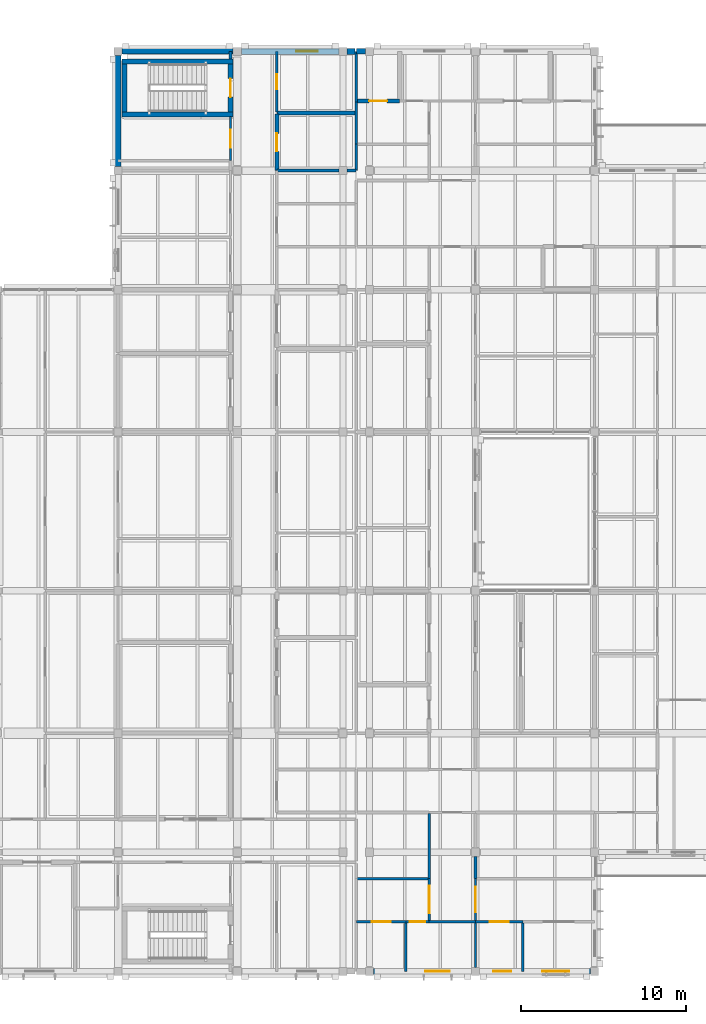
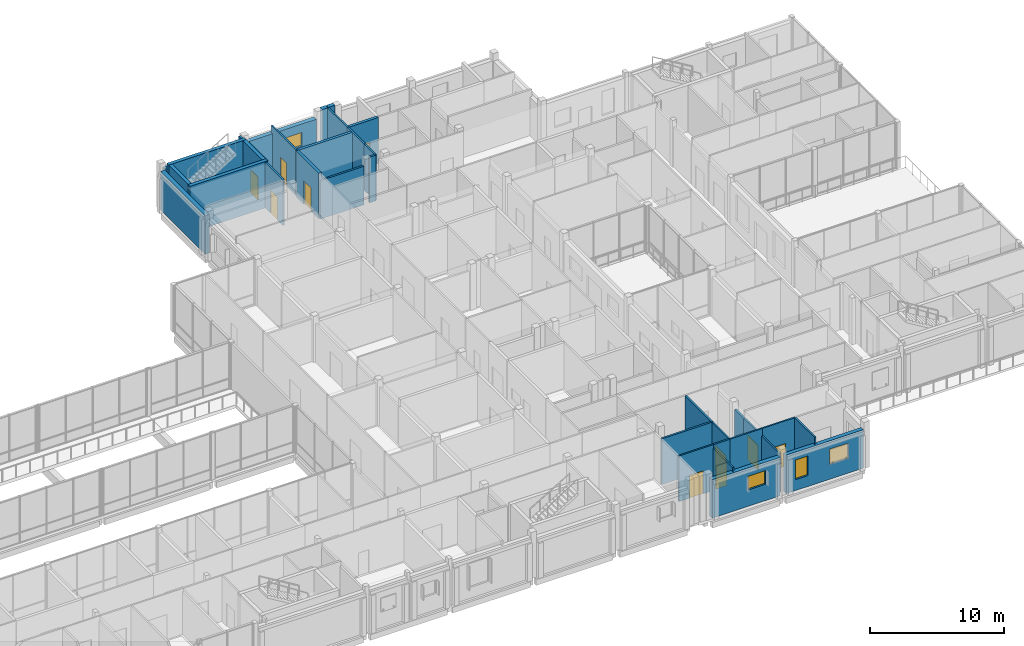
# One storey, part 117 of 146: 34 walls, 10 doors, 4 windows, 14 openings.
"""IFC4 building model written with IfcOpenShell, lengths in metres."""

from ifc_helpers import new_model, si_unit, direction, frame, frame_2d, origin, place, context, subcontext, project, spatial, rectangle, extrude, material, layer, layer_set, type_object, element, fill, save


model = new_model("IFC4")

# Units and contexts
model_context = context("Model", 3, precision=1e-05, world=origin(), true_north=direction((0.0, 1.0)))
body_context = subcontext(model_context, "Body", "Model", "MODEL_VIEW")
ifc_project = project(units=[si_unit("LENGTHUNIT", "METRE"), si_unit("AREAUNIT", "SQUARE_METRE"), si_unit("VOLUMEUNIT", "CUBIC_METRE"), si_unit("PLANEANGLEUNIT", "RADIAN"), si_unit("MASSUNIT", "GRAM", prefix="KILO")], contexts=[model_context])

# Site, building, storey
site_placement = place(None, origin())
site = spatial("IfcSite", under=ifc_project, at=site_placement, CompositionType="ELEMENT")
building_placement = place(site_placement, origin())
building = spatial("IfcBuilding", under=site, at=building_placement, Name="Hawrajan Terrace Health Centre", CompositionType="ELEMENT")
storey_placement = place(building_placement, frame((0.0, 0.0, 4.5)))
storey = spatial("IfcBuildingStorey", under=building, at=storey_placement, Name="L01", CompositionType="ELEMENT", Elevation=4.5)

# Wall, opening, door
ifc_material_1 = material(Name="Gypsum board on acoustic stud framing")
ifc_layer_1 = layer(ifc_material_1, 0.139892578125)
ifc_layer_set_1 = layer_set([ifc_layer_1], Name="Gypsum board on acoustic stud framing")
wall_type_1 = type_object("IfcWallType", Name="ClinicalAcousticWall_140", PredefinedType="PARTITIONING", material=ifc_layer_set_1)
wall_1_placement = place(storey_placement, frame((121.800048828125, 53.199951171875, 0.0), z_axis=(0.0, 0.0, 1.0), x_axis=(0.0, 1.0, 0.0)))
wall_1 = element("IfcWall", 1, at=wall_1_placement, inside=storey, type_object=wall_type_1, Name="Interior wall IW-L01-0725", PredefinedType="PARTITIONING", context=body_context, shape_type="SweptSolid", body=[
    extrude(rectangle(XDim=2.66015625, YDim=0.139892578125, at=frame_2d((1.330078125, 0.0))), origin(), (0.0, 0.0, 1.0), 4.179931640625),
])
opening_1_placement = place(wall_1_placement, frame((0.780029296875, 0.0, 0.0)))
opening_1 = element("IfcOpeningElement", 2, at=opening_1_placement, cuts=wall_1, Name="Opening D-L01-271", PredefinedType="OPENING", context=body_context, shape_type="SweptSolid", body=[
    extrude(rectangle(XDim=1.10009765625, YDim=2.10009765625, at=frame_2d((0.550048828125, 1.050048828125))), frame((0.0, 0.079833984375, 0.0), z_axis=(0.0, -1.0, 0.0), x_axis=(1.0, 0.0, 0.0)), (0.0, 0.0, 1.0), 0.159912109375),
])
ifc_material_2 = material(Name="Hardwood acoustic clinical door leaf and frame", Category="wood")
door_type_1 = type_object("IfcDoorType", Name="ConsultDoor_1100x2100", OperationType="NOTDEFINED", PredefinedType="DOOR", material=ifc_material_2)
door_1_placement = place(opening_1_placement, origin())
door_1 = element("IfcDoor", 3, at=door_1_placement, inside=storey, type_object=door_type_1, Name="Interior door D-L01-271", OperationType="SINGLE_SWING_LEFT", OverallHeight=2.10009765625, OverallWidth=1.10009765625, PredefinedType="DOOR", context=body_context, shape_type="SweptSolid", body=[
    extrude(rectangle(XDim=1.10009765625, YDim=2.10009765625, at=frame_2d((0.550048828125, 1.050048828125))), frame((0.0, 0.02490234375, 0.0), z_axis=(0.0, -1.0, 0.0), x_axis=(1.0, 0.0, 0.0)), (0.0, 0.0, 1.0), 0.050048828125),
])
fill(opening_1, door_1)

wall_2_placement = place(storey_placement, frame((124.60009765625, 56.14794921875, 0.0), z_axis=(0.0, 0.0, 1.0), x_axis=(0.0, 1.0, 0.0)))
wall_2 = element("IfcWall", 4, at=wall_2_placement, inside=storey, type_object=wall_type_1, Name="Interior wall IW-L01-0744", PredefinedType="PARTITIONING", context=body_context, shape_type="SweptSolid", body=[
    extrude(rectangle(XDim=3.652099609375, YDim=0.139892578125, at=frame_2d((1.826171875, 0.0))), origin(), (0.0, 0.0, 1.0), 4.179931640625),
])
opening_2_placement = place(wall_2_placement, frame((1.365966796875, 0.0, 0.0)))
opening_2 = element("IfcOpeningElement", 5, at=opening_2_placement, cuts=wall_2, Name="Opening D-L01-392", PredefinedType="OPENING", context=body_context, shape_type="SweptSolid", body=[
    extrude(rectangle(XDim=0.919921875, YDim=2.10009765625, at=frame_2d((0.4599609375, 1.050048828125))), frame((0.0, 0.079833984375, 0.0), z_axis=(0.0, -1.0, 0.0), x_axis=(1.0, 0.0, 0.0)), (0.0, 0.0, 1.0), 0.159912109375),
])
door_type_2 = type_object("IfcDoorType", Name="StaffOfficeDoor_920x2100", OperationType="NOTDEFINED", PredefinedType="DOOR", material=ifc_material_2)
door_2_placement = place(opening_2_placement, origin())
door_2 = element("IfcDoor", 6, at=door_2_placement, inside=storey, type_object=door_type_2, Name="Interior door D-L01-392", OperationType="SINGLE_SWING_RIGHT", OverallHeight=2.10009765625, OverallWidth=0.919921875, PredefinedType="DOOR", context=body_context, shape_type="SweptSolid", body=[
    extrude(rectangle(XDim=0.919921875, YDim=2.10009765625, at=frame_2d((0.4599609375, 1.050048828125))), frame((0.0, 0.02490234375, 0.0), z_axis=(0.0, -1.0, 0.0), x_axis=(1.0, 0.0, 0.0)), (0.0, 0.0, 1.0), 0.050048828125),
])
fill(opening_2, door_2)

wall_3_placement = place(storey_placement, frame((129.405029296875, 7.199951171875, 0.0), z_axis=(0.0, 0.0, 1.0), x_axis=(1.0, 0.0, 0.0)))
wall_3 = element("IfcWall", 7, at=wall_3_placement, inside=storey, type_object=wall_type_1, Name="Interior wall IW-L01-0746", PredefinedType="PARTITIONING", context=body_context, shape_type="SweptSolid", body=[
    extrude(rectangle(XDim=2.986083984375, YDim=0.139892578125, at=frame_2d((1.4931640625, 0.0))), origin(), (0.0, 0.0, 1.0), 4.179931640625),
])
opening_3_placement = place(wall_3_placement, frame((0.9130859375, 0.0, 0.0)))
opening_3 = element("IfcOpeningElement", 8, at=opening_3_placement, cuts=wall_3, Name="Opening D-L01-393", PredefinedType="OPENING", context=body_context, shape_type="SweptSolid", body=[
    extrude(rectangle(XDim=1.159912109375, YDim=2.10009765625, at=frame_2d((0.580078125, 1.050048828125))), frame((0.0, 0.079833984375, 0.0), z_axis=(0.0, -1.0, 0.0), x_axis=(1.0, 0.0, 0.0)), (0.0, 0.0, 1.0), 0.159912109375),
])
door_type_3 = type_object("IfcDoorType", Name="ConsultDoor_1160x2100", OperationType="NOTDEFINED", PredefinedType="DOOR", material=ifc_material_2)
door_3_placement = place(opening_3_placement, origin())
door_3 = element("IfcDoor", 9, at=door_3_placement, inside=storey, type_object=door_type_3, Name="Interior door D-L01-393", OperationType="SINGLE_SWING_LEFT", OverallHeight=2.10009765625, OverallWidth=1.159912109375, PredefinedType="DOOR", context=body_context, shape_type="SweptSolid", body=[
    extrude(rectangle(XDim=1.159912109375, YDim=2.10009765625, at=frame_2d((0.580078125, 1.050048828125))), frame((0.0, 0.02490234375, 0.0), z_axis=(0.0, -1.0, 0.0), x_axis=(1.0, 0.0, 0.0)), (0.0, 0.0, 1.0), 0.050048828125),
])
fill(opening_3, door_3)

# Wall
wall_4_placement = place(storey_placement, frame((132.39111328125, 4.199951171875, 0.0), z_axis=(0.0, 0.0, 1.0), x_axis=(0.0, 1.0, 0.0)))
element("IfcWall", 10, at=wall_4_placement, inside=storey, type_object=wall_type_1, Name="Interior wall IW-L01-0757", PredefinedType="PARTITIONING", context=body_context, shape_type="SweptSolid", body=[
    extrude(rectangle(XDim=2.929931640625, YDim=0.139892578125, at=frame_2d((1.46484375, 0.0))), origin(), (0.0, 0.0, 1.0), 3.860107421875),
])

# Wall, opening, door
wall_5_placement = place(storey_placement, frame((132.39111328125, 7.199951171875, 0.0), z_axis=(0.0, 0.0, 1.0), x_axis=(1.0, 0.0, 0.0)))
wall_5 = element("IfcWall", 11, at=wall_5_placement, inside=storey, type_object=wall_type_1, Name="Interior wall IW-L01-0758", PredefinedType="PARTITIONING", context=body_context, shape_type="SweptSolid", body=[
    extrude(rectangle(XDim=1.408935546875, YDim=0.139892578125, at=frame_2d((0.70458984375, 0.0))), origin(), (0.0, 0.0, 1.0), 4.179931640625),
])
opening_4_placement = place(wall_5_placement, frame((0.2294921875, 0.0, 0.0)))
opening_4 = element("IfcOpeningElement", 12, at=opening_4_placement, cuts=wall_5, Name="Opening D-L01-394", PredefinedType="OPENING", context=body_context, shape_type="SweptSolid", body=[
    extrude(rectangle(XDim=0.949951171875, YDim=2.10009765625, at=frame_2d((0.47509765625, 1.050048828125))), frame((0.0, 0.079833984375, 0.0), z_axis=(0.0, -1.0, 0.0), x_axis=(1.0, 0.0, 0.0)), (0.0, 0.0, 1.0), 0.159912109375),
])
door_type_4 = type_object("IfcDoorType", Name="AccessibleWCDoor_950x2100", OperationType="NOTDEFINED", PredefinedType="DOOR", material=ifc_material_2)
door_4_placement = place(opening_4_placement, origin())
door_4 = element("IfcDoor", 13, at=door_4_placement, inside=storey, type_object=door_type_4, Name="Interior door D-L01-394", OperationType="SINGLE_SWING_RIGHT", OverallHeight=2.10009765625, OverallWidth=0.949951171875, PredefinedType="DOOR", context=body_context, shape_type="SweptSolid", body=[
    extrude(rectangle(XDim=0.949951171875, YDim=2.10009765625, at=frame_2d((0.47509765625, 1.050048828125))), frame((0.0, 0.02490234375, 0.0), z_axis=(0.0, -1.0, 0.0), x_axis=(1.0, 0.0, 0.0)), (0.0, 0.0, 1.0), 0.050048828125),
])
fill(opening_4, door_4)

wall_6_placement = place(storey_placement, frame((133.800048828125, 7.27001953125, 0.0), z_axis=(0.0, 0.0, 1.0), x_axis=(0.0, 1.0, 0.0)))
wall_6 = element("IfcWall", 14, at=wall_6_placement, inside=storey, type_object=wall_type_1, Name="Interior wall IW-L01-0759", PredefinedType="PARTITIONING", context=body_context, shape_type="SweptSolid", body=[
    extrude(rectangle(XDim=2.530029296875, YDim=0.139892578125, at=frame_2d((1.26513671875, 0.0))), origin(), (0.0, 0.0, 1.0), 4.179931640625),
])
opening_5_placement = place(wall_6_placement, frame((0.43505859375, 0.0, 0.0)))
opening_5 = element("IfcOpeningElement", 15, at=opening_5_placement, cuts=wall_6, Name="Opening D-L01-287", PredefinedType="OPENING", context=body_context, shape_type="SweptSolid", body=[
    extrude(rectangle(XDim=1.659912109375, YDim=2.300048828125, at=frame_2d((0.830078125, 1.14990234375))), frame((0.0, 0.079833984375, 0.0), z_axis=(0.0, -1.0, 0.0), x_axis=(1.0, 0.0, 0.0)), (0.0, 0.0, 1.0), 0.159912109375),
])
door_type_5 = type_object("IfcDoorType", Name="RehabGymDoor_1660x2300", OperationType="DOUBLE_DOOR_SINGLE_SWING", PredefinedType="DOOR", material=ifc_material_2)
door_5_placement = place(opening_5_placement, origin())
door_5 = element("IfcDoor", 16, at=door_5_placement, inside=storey, type_object=door_type_5, Name="Interior door D-L01-287", OperationType="DOUBLE_DOOR_SINGLE_SWING", OverallHeight=2.300048828125, OverallWidth=1.659912109375, PredefinedType="DOOR", context=body_context, shape_type="SweptSolid", body=[
    extrude(rectangle(XDim=1.659912109375, YDim=2.300048828125, at=frame_2d((0.830078125, 1.14990234375))), frame((0.0, 0.02490234375, 0.0), z_axis=(0.0, -1.0, 0.0), x_axis=(1.0, 0.0, 0.0)), (0.0, 0.0, 1.0), 0.050048828125),
])
fill(opening_5, door_5)

# Walls
wall_7_placement = place(storey_placement, frame((133.800048828125, 7.199951171875, 0.0), z_axis=(0.0, 0.0, 1.0), x_axis=(1.0, 0.0, 0.0)))
element("IfcWall", 17, at=wall_7_placement, inside=storey, type_object=wall_type_1, Name="Interior wall IW-L01-0760", PredefinedType="PARTITIONING", context=body_context, shape_type="SweptSolid", body=[
    extrude(rectangle(XDim=2.800048828125, YDim=0.139892578125, at=frame_2d((1.39990234375, 0.0))), origin(), (0.0, 0.0, 1.0), 4.179931640625),
])
wall_8_placement = place(storey_placement, frame((136.60009765625, 4.449951171875, 0.0), z_axis=(0.0, 0.0, 1.0), x_axis=(0.0, 1.0, 0.0)))
element("IfcWall", 18, at=wall_8_placement, inside=storey, type_object=wall_type_1, Name="Interior wall IW-L01-0773", PredefinedType="PARTITIONING", context=body_context, shape_type="SweptSolid", body=[
    extrude(rectangle(XDim=2.679931640625, YDim=0.139892578125, at=frame_2d((1.33984375, 0.0))), origin(), (0.0, 0.0, 1.0), 3.52001953125),
])

# Wall, opening, door
wall_9_placement = place(storey_placement, frame((136.60009765625, 7.27001953125, 0.0), z_axis=(0.0, 0.0, 1.0), x_axis=(0.0, 1.0, 0.0)))
wall_9 = element("IfcWall", 19, at=wall_9_placement, inside=storey, type_object=wall_type_1, Name="Interior wall IW-L01-0774", PredefinedType="PARTITIONING", context=body_context, shape_type="SweptSolid", body=[
    extrude(rectangle(XDim=2.530029296875, YDim=0.139892578125, at=frame_2d((1.26513671875, 0.0))), origin(), (0.0, 0.0, 1.0), 3.52001953125),
])
opening_6_placement = place(wall_9_placement, frame((0.4951171875, 0.0, 0.0)))
opening_6 = element("IfcOpeningElement", 20, at=opening_6_placement, cuts=wall_9, Name="Opening D-L01-288", PredefinedType="OPENING", context=body_context, shape_type="SweptSolid", body=[
    extrude(rectangle(XDim=1.5400390625, YDim=2.25, at=frame_2d((0.77001953125, 1.125))), frame((0.0, 0.079833984375, 0.0), z_axis=(0.0, -1.0, 0.0), x_axis=(1.0, 0.0, 0.0)), (0.0, 0.0, 1.0), 0.159912109375),
])
door_type_6 = type_object("IfcDoorType", Name="RecoveryBayDoor_1540x2250", OperationType="DOUBLE_DOOR_SINGLE_SWING", PredefinedType="DOOR", material=ifc_material_2)
door_6_placement = place(opening_6_placement, origin())
door_6 = element("IfcDoor", 21, at=door_6_placement, inside=storey, type_object=door_type_6, Name="Interior door D-L01-288", OperationType="DOUBLE_DOOR_SINGLE_SWING", OverallHeight=2.25, OverallWidth=1.5400390625, PredefinedType="DOOR", context=body_context, shape_type="SweptSolid", body=[
    extrude(rectangle(XDim=1.5400390625, YDim=2.25, at=frame_2d((0.77001953125, 1.125))), frame((0.0, 0.02490234375, 0.0), z_axis=(0.0, -1.0, 0.0), x_axis=(1.0, 0.0, 0.0)), (0.0, 0.0, 1.0), 0.050048828125),
])
fill(opening_6, door_6)

wall_10_placement = place(storey_placement, frame((136.60009765625, 7.199951171875, 0.0), z_axis=(0.0, 0.0, 1.0), x_axis=(1.0, 0.0, 0.0)))
wall_10 = element("IfcWall", 22, at=wall_10_placement, inside=storey, type_object=wall_type_1, Name="Interior wall IW-L01-0775", PredefinedType="PARTITIONING", context=body_context, shape_type="SweptSolid", body=[
    extrude(rectangle(XDim=2.865966796875, YDim=0.139892578125, at=frame_2d((1.43310546875, 0.0))), origin(), (0.0, 0.0, 1.0), 4.179931640625),
])
opening_7_placement = place(wall_10_placement, frame((0.85302734375, 0.0, 0.0)))
opening_7 = element("IfcOpeningElement", 23, at=opening_7_placement, cuts=wall_10, Name="Opening D-L01-403", PredefinedType="OPENING", context=body_context, shape_type="SweptSolid", body=[
    extrude(rectangle(XDim=1.159912109375, YDim=2.10009765625, at=frame_2d((0.580078125, 1.050048828125))), frame((0.0, 0.079833984375, 0.0), z_axis=(0.0, -1.0, 0.0), x_axis=(1.0, 0.0, 0.0)), (0.0, 0.0, 1.0), 0.159912109375),
])
door_7_placement = place(opening_7_placement, origin())
door_7 = element("IfcDoor", 24, at=door_7_placement, inside=storey, type_object=door_type_3, Name="Interior door D-L01-403", OperationType="SINGLE_SWING_LEFT", OverallHeight=2.10009765625, OverallWidth=1.159912109375, PredefinedType="DOOR", context=body_context, shape_type="SweptSolid", body=[
    extrude(rectangle(XDim=1.159912109375, YDim=2.10009765625, at=frame_2d((0.580078125, 1.050048828125))), frame((0.0, 0.02490234375, 0.0), z_axis=(0.0, -1.0, 0.0), x_axis=(1.0, 0.0, 0.0)), (0.0, 0.0, 1.0), 0.050048828125),
])
fill(opening_7, door_7)

# Walls
wall_11_placement = place(storey_placement, frame((139.466064453125, 4.199951171875, 0.0), z_axis=(0.0, 0.0, 1.0), x_axis=(0.0, 1.0, 0.0)))
element("IfcWall", 25, at=wall_11_placement, inside=storey, type_object=wall_type_1, Name="Interior wall IW-L01-0787", PredefinedType="PARTITIONING", context=body_context, shape_type="SweptSolid", body=[
    extrude(rectangle(XDim=2.929931640625, YDim=0.139892578125, at=frame_2d((1.46484375, 0.0))), origin(), (0.0, 0.0, 1.0), 4.179931640625),
])
ifc_material_3 = material(Name="Precast concrete C40/50", Category="concrete")
ifc_layer_2 = layer(ifc_material_3, 0.340087890625)
ifc_layer_set_2 = layer_set([ifc_layer_2], Name="Precast concrete C40/50")
wall_type_2 = type_object("IfcWallType", Name="CoralAshlarWall_340", PredefinedType="SOLIDWALL", material=ifc_layer_set_2)
wall_12_placement = place(storey_placement, frame((115.25, 59.800048828125, 0.0), z_axis=(0.0, 0.0, 1.0), x_axis=(1.0, 0.0, 0.0)))
element("IfcWall", 26, at=wall_12_placement, inside=storey, type_object=wall_type_2, Name="Exterior wall EW-L01-H14-07-1", PredefinedType="SOLIDWALL", context=body_context, shape_type="SweptSolid", body=[
    extrude(rectangle(XDim=6.699951171875, YDim=0.340087890625, at=frame_2d((3.35009765625, 0.0))), origin(), (0.0, 0.0, 1.0), 3.52001953125),
])
wall_13_placement = place(storey_placement, frame((129.405029296875, 59.800048828125, 0.0), z_axis=(0.0, 0.0, 1.0), x_axis=(1.0, 0.0, 0.0)))
element("IfcWall", 27, at=wall_13_placement, inside=storey, type_object=wall_type_2, Name="Exterior wall EW-L01-H16-07-1", PredefinedType="SOLIDWALL", context=body_context, shape_type="SweptSolid", body=[
    extrude(rectangle(XDim=0.544921875, YDim=0.340087890625, at=frame_2d((0.2724609375, 0.0))), origin(), (0.0, 0.0, 1.0), 4.219970703125),
])

# Wall, openings, windows
wall_14_placement = place(storey_placement, frame((136.85009765625, 4.199951171875, 0.0), z_axis=(0.0, 0.0, 1.0), x_axis=(1.0, 0.0, 0.0)))
wall_14 = element("IfcWall", 28, at=wall_14_placement, inside=storey, type_object=wall_type_2, Name="Exterior wall EW-L01-H17-00-1", PredefinedType="SOLIDWALL", context=body_context, shape_type="SweptSolid", body=[
    extrude(rectangle(XDim=6.699951171875, YDim=0.340087890625, at=frame_2d((3.35009765625, 0.0))), origin(), (0.0, 0.0, 1.0), 3.52001953125),
])
opening_8_placement = place(wall_14_placement, frame((0.81787109375, 0.0, 1.0)))
opening_8 = element("IfcOpeningElement", 29, at=opening_8_placement, cuts=wall_14, Name="Opening W-L01-095", PredefinedType="OPENING", context=body_context, shape_type="SweptSolid", body=[
    extrude(rectangle(XDim=1.10009765625, YDim=1.800048828125, at=frame_2d((0.550048828125, 0.89990234375))), frame((0.0, 0.179931640625, 0.0), z_axis=(0.0, -1.0, 0.0), x_axis=(1.0, 0.0, 0.0)), (0.0, 0.0, 1.0), 0.360107421875),
])
opening_9_placement = place(wall_14_placement, frame((3.772705078125, 0.0, 1.35009765625)))
opening_9 = element("IfcOpeningElement", 30, at=opening_9_placement, cuts=wall_14, Name="Opening W-L01-096", PredefinedType="OPENING", context=body_context, shape_type="SweptSolid", body=[
    extrude(rectangle(XDim=1.64990234375, YDim=1.39990234375, at=frame_2d((0.824951171875, 0.699951171875))), frame((0.0, 0.179931640625, 0.0), z_axis=(0.0, -1.0, 0.0), x_axis=(1.0, 0.0, 0.0)), (0.0, 0.0, 1.0), 0.360107421875),
])
ifc_material_4 = material(Name="Anodized bronze frame with double low-E glazing", Category="glass")
window_type_1 = type_object("IfcWindowType", Name="FacadeWindow_1100x1800", PartitioningType="SINGLE_PANEL", PredefinedType="WINDOW", material=ifc_material_4)
window_1_placement = place(opening_8_placement, origin())
window_1 = element("IfcWindow", 31, at=window_1_placement, inside=storey, type_object=window_type_1, Name="Window W-L01-095", OverallHeight=1.800048828125, OverallWidth=1.10009765625, PartitioningType="SINGLE_PANEL", PredefinedType="WINDOW", context=body_context, shape_type="SweptSolid", body=[
    extrude(rectangle(XDim=1.10009765625, YDim=1.800048828125, at=frame_2d((0.550048828125, 0.89990234375))), frame((0.0, 0.030029296875, 0.0), z_axis=(0.0, -1.0, 0.0), x_axis=(1.0, 0.0, 0.0)), (0.0, 0.0, 1.0), 0.06005859375),
])
fill(opening_8, window_1)
window_type_2 = type_object("IfcWindowType", Name="FacadeWindow_1650x1400", PartitioningType="DOUBLE_PANEL_VERTICAL", PredefinedType="WINDOW", material=ifc_material_4)
window_2_placement = place(opening_9_placement, origin())
window_2 = element("IfcWindow", 32, at=window_2_placement, inside=storey, type_object=window_type_2, Name="Window W-L01-096", OverallHeight=1.39990234375, OverallWidth=1.64990234375, PartitioningType="DOUBLE_PANEL_VERTICAL", PredefinedType="WINDOW", context=body_context, shape_type="SweptSolid", body=[
    extrude(rectangle(XDim=1.64990234375, YDim=1.39990234375, at=frame_2d((0.824951171875, 0.699951171875))), frame((0.0, 0.030029296875, 0.0), z_axis=(0.0, -1.0, 0.0), x_axis=(1.0, 0.0, 0.0)), (0.0, 0.0, 1.0), 0.06005859375),
])
fill(opening_9, window_2)

# Wall
ifc_layer_3 = layer(ifc_material_3, 0.360107421875)
ifc_layer_set_3 = layer_set([ifc_layer_3], Name="Precast concrete C40/50")
wall_type_3 = type_object("IfcWallType", Name="CoralPodiumWall_360", PredefinedType="SOLIDWALL", material=ifc_layer_set_3)
wall_15_placement = place(storey_placement, frame((115.0, 52.85009765625, 0.0), z_axis=(0.0, 0.0, 1.0), x_axis=(0.0, 1.0, 0.0)))
element("IfcWall", 33, at=wall_15_placement, inside=storey, type_object=wall_type_3, Name="Exterior wall EW-L01-V14-06-1", PredefinedType="SOLIDWALL", context=body_context, shape_type="SweptSolid", body=[
    extrude(rectangle(XDim=6.699951171875, YDim=0.360107421875, at=frame_2d((3.35009765625, 0.0))), origin(), (0.0, 0.0, 1.0), 3.52001953125),
])

# Wall, opening, window
wall_16_placement = place(storey_placement, frame((122.449951171875, 59.800048828125, 0.0), z_axis=(0.0, 0.0, 1.0), x_axis=(1.0, 0.0, 0.0)))
wall_16 = element("IfcWall", 34, at=wall_16_placement, inside=storey, type_object=wall_type_3, Name="Exterior wall EW-L01-H15-07-1", PredefinedType="SOLIDWALL", context=body_context, shape_type="SweptSolid", body=[
    extrude(rectangle(XDim=5.900146484375, YDim=0.360107421875, at=frame_2d((2.9501953125, 0.0))), origin(), (0.0, 0.0, 1.0), 3.52001953125),
])
opening_10_placement = place(wall_16_placement, frame((3.304931640625, 0.0, 1.5)))
opening_10 = element("IfcOpeningElement", 35, at=opening_10_placement, cuts=wall_16, Name="Opening W-L01-090", PredefinedType="OPENING", context=body_context, shape_type="SweptSolid", body=[
    extrude(rectangle(XDim=1.320068359375, YDim=1.25, at=frame_2d((0.66015625, 0.625))), frame((0.0, 0.18994140625, 0.0), z_axis=(0.0, -1.0, 0.0), x_axis=(1.0, 0.0, 0.0)), (0.0, 0.0, 1.0), 0.380126953125),
])
window_type_3 = type_object("IfcWindowType", Name="FacadeWindow_1320x1250", PartitioningType="SINGLE_PANEL", PredefinedType="WINDOW", material=ifc_material_4)
window_3_placement = place(opening_10_placement, origin())
window_3 = element("IfcWindow", 36, at=window_3_placement, inside=storey, type_object=window_type_3, Name="Window W-L01-090", OverallHeight=1.25, OverallWidth=1.320068359375, PartitioningType="SINGLE_PANEL", PredefinedType="WINDOW", context=body_context, shape_type="SweptSolid", body=[
    extrude(rectangle(XDim=1.320068359375, YDim=1.25, at=frame_2d((0.66015625, 0.625))), frame((0.0, 0.030029296875, 0.0), z_axis=(0.0, -1.0, 0.0), x_axis=(1.0, 0.0, 0.0)), (0.0, 0.0, 1.0), 0.06005859375),
])
fill(opening_10, window_3)

# Wall
wall_17_placement = place(storey_placement, frame((128.85009765625, 59.800048828125, 0.0), z_axis=(0.0, 0.0, 1.0), x_axis=(1.0, 0.0, 0.0)))
element("IfcWall", 37, at=wall_17_placement, inside=storey, type_object=wall_type_3, Name="Exterior wall EW-L01-H15-07-2", PredefinedType="SOLIDWALL", context=body_context, shape_type="SweptSolid", body=[
    extrude(rectangle(XDim=0.48486328125, YDim=0.360107421875, at=frame_2d((0.242431640625, 0.0))), origin(), (0.0, 0.0, 1.0), 4.219970703125),
])

# Wall, opening, window
wall_18_placement = place(storey_placement, frame((130.449951171875, 4.199951171875, 0.0), z_axis=(0.0, 0.0, 1.0), x_axis=(1.0, 0.0, 0.0)))
wall_18 = element("IfcWall", 38, at=wall_18_placement, inside=storey, type_object=wall_type_3, Name="Exterior wall EW-L01-H16-00-2", PredefinedType="SOLIDWALL", context=body_context, shape_type="SweptSolid", body=[
    extrude(rectangle(XDim=5.900146484375, YDim=0.360107421875, at=frame_2d((2.9501953125, 0.0))), origin(), (0.0, 0.0, 1.0), 3.52001953125),
])
opening_11_placement = place(wall_18_placement, frame((3.110595703125, 0.0, 1.5)))
opening_11 = element("IfcOpeningElement", 39, at=opening_11_placement, cuts=wall_18, Name="Opening W-L01-091", PredefinedType="OPENING", context=body_context, shape_type="SweptSolid", body=[
    extrude(rectangle(XDim=1.5, YDim=1.25, at=frame_2d((0.75, 0.625))), frame((0.0, 0.18994140625, 0.0), z_axis=(0.0, -1.0, 0.0), x_axis=(1.0, 0.0, 0.0)), (0.0, 0.0, 1.0), 0.380126953125),
])
window_type_4 = type_object("IfcWindowType", Name="FacadeWindow_1500x1250", PartitioningType="DOUBLE_PANEL_VERTICAL", PredefinedType="WINDOW", material=ifc_material_4)
window_4_placement = place(opening_11_placement, origin())
window_4 = element("IfcWindow", 40, at=window_4_placement, inside=storey, type_object=window_type_4, Name="Window W-L01-091", OverallHeight=1.25, OverallWidth=1.5, PartitioningType="DOUBLE_PANEL_VERTICAL", PredefinedType="WINDOW", context=body_context, shape_type="SweptSolid", body=[
    extrude(rectangle(XDim=1.5, YDim=1.25, at=frame_2d((0.75, 0.625))), frame((0.0, 0.030029296875, 0.0), z_axis=(0.0, -1.0, 0.0), x_axis=(1.0, 0.0, 0.0)), (0.0, 0.0, 1.0), 0.06005859375),
])
fill(opening_11, window_4)

# Walls
ifc_material_5 = material(Name="Concrete C40/50", Category="concrete")
ifc_layer_4 = layer(ifc_material_5, 0.300048828125)
ifc_layer_set_4 = layer_set([ifc_layer_4], Name="Concrete C40/50")
wall_type_4 = type_object("IfcWallType", Name="CoreShearWall_RC300", PredefinedType="SHEAR", material=ifc_layer_set_4)
for number, where, z_axis, x_axis, name in (
    (41, (115.25, 56.0, 0.0), (0.0, 0.0, 1.0), (1.0, 0.0, 0.0), "Core shear wall SW-S7-L01-S"),
    (42, (115.25, 59.199951171875, 0.0), (0.0, 0.0, 1.0), (1.0, 0.0, 0.0), "Core shear wall SW-S7-L01-N"),
):
    element("IfcWall", number, at=place(storey_placement, frame(where, z_axis=z_axis, x_axis=x_axis)), inside=storey, type_object=wall_type_4, Name=name, PredefinedType="SHEAR", context=body_context, shape_type="SweptSolid", body=[
        extrude(rectangle(XDim=6.699951171875, YDim=0.300048828125, at=frame_2d((3.35009765625, 0.0))), origin(), (0.0, 0.0, 1.0), 4.25),
    ])
wall_19_placement = place(storey_placement, frame((115.39990234375, 56.14990234375, 0.0), z_axis=(0.0, 0.0, 1.0), x_axis=(0.0, 1.0, 0.0)))
element("IfcWall", 43, at=wall_19_placement, inside=storey, type_object=wall_type_4, Name="Core shear wall SW-S7-L01-W", PredefinedType="SHEAR", context=body_context, shape_type="SweptSolid", body=[
    extrude(rectangle(XDim=2.900146484375, YDim=0.300048828125, at=frame_2d((1.4501953125, 0.0))), origin(), (0.0, 0.0, 1.0), 4.25),
])

# Wall, opening, door
wall_20_placement = place(storey_placement, frame((121.800048828125, 56.14990234375, 0.0), z_axis=(0.0, 0.0, 1.0), x_axis=(0.0, 1.0, 0.0)))
wall_20 = element("IfcWall", 44, at=wall_20_placement, inside=storey, type_object=wall_type_4, Name="Core shear wall SW-S7-L01-E", PredefinedType="SHEAR", context=body_context, shape_type="SweptSolid", body=[
    extrude(rectangle(XDim=2.900146484375, YDim=0.300048828125, at=frame_2d((1.4501953125, 0.0))), origin(), (0.0, 0.0, 1.0), 4.25),
])
opening_12_placement = place(wall_20_placement, frame((0.889892578125, 0.0, 0.0)))
opening_12 = element("IfcOpeningElement", 45, at=opening_12_placement, cuts=wall_20, Name="Opening D-L01-245", PredefinedType="OPENING", context=body_context, shape_type="SweptSolid", body=[
    extrude(rectangle(XDim=1.1201171875, YDim=2.10009765625, at=frame_2d((0.56005859375, 1.050048828125))), frame((0.0, 0.159912109375, 0.0), z_axis=(0.0, -1.0, 0.0), x_axis=(1.0, 0.0, 0.0)), (0.0, 0.0, 1.0), 0.320068359375),
])
ifc_material_6 = material(Name="Timber-veneered acoustic fire-resisting door assembly", Category="wood")
door_type_7 = type_object("IfcDoorType", Name="CoreStairDoor_1120x2100", OperationType="NOTDEFINED", PredefinedType="DOOR", material=ifc_material_6)
door_8_placement = place(opening_12_placement, origin())
door_8 = element("IfcDoor", 46, at=door_8_placement, inside=storey, type_object=door_type_7, Name="Interior door D-L01-245", OperationType="SINGLE_SWING_LEFT", OverallHeight=2.10009765625, OverallWidth=1.1201171875, PredefinedType="DOOR", context=body_context, shape_type="SweptSolid", body=[
    extrude(rectangle(XDim=1.1201171875, YDim=2.10009765625, at=frame_2d((0.56005859375, 1.050048828125))), frame((0.0, 0.02490234375, 0.0), z_axis=(0.0, -1.0, 0.0), x_axis=(1.0, 0.0, 0.0)), (0.0, 0.0, 1.0), 0.050048828125),
])
fill(opening_12, door_8)

# Walls
ifc_layer_5 = layer(ifc_material_1, 0.159912109375)
ifc_layer_set_5 = layer_set([ifc_layer_5], Name="Gypsum board on acoustic stud framing")
wall_type_5 = type_object("IfcWallType", Name="CorridorFireWall_160", PredefinedType="PARTITIONING", material=ifc_layer_set_5)
wall_21_placement = place(storey_placement, frame((121.800048828125, 59.340087890625, 0.0), z_axis=(0.0, 0.0, 1.0), x_axis=(0.0, 1.0, 0.0)))
element("IfcWall", 47, at=wall_21_placement, inside=storey, type_object=wall_type_5, Name="Interior wall IW-L01-0869", PredefinedType="PARTITIONING", context=body_context, shape_type="SweptSolid", body=[
    extrude(rectangle(XDim=0.4599609375, YDim=0.159912109375, at=frame_2d((0.22998046875, 0.0))), origin(), (0.0, 0.0, 1.0), 4.179931640625),
])
wall_22_placement = place(storey_placement, frame((136.60009765625, 9.800048828125, 0.0), z_axis=(0.0, 0.0, 1.0), x_axis=(0.0, 1.0, 0.0)))
element("IfcWall", 48, at=wall_22_placement, inside=storey, type_object=wall_type_5, Name="Interior wall IW-L01-0906", PredefinedType="PARTITIONING", context=body_context, shape_type="SweptSolid", body=[
    extrude(rectangle(XDim=1.349853515625, YDim=0.159912109375, at=frame_2d((0.6748046875, 0.0))), origin(), (0.0, 0.0, 1.0), 3.52001953125),
])
wall_23_placement = place(storey_placement, frame((133.800048828125, 9.800048828125, 0.0), z_axis=(0.0, 0.0, 1.0), x_axis=(0.0, 1.0, 0.0)))
element("IfcWall", 49, at=wall_23_placement, inside=storey, type_object=wall_type_5, Name="Interior wall IW-L01-0908", PredefinedType="PARTITIONING", context=body_context, shape_type="SweptSolid", body=[
    extrude(rectangle(XDim=3.929931640625, YDim=0.159912109375, at=frame_2d((1.96484375, 0.0))), origin(), (0.0, 0.0, 1.0), 4.179931640625),
])
wall_24_placement = place(storey_placement, frame((133.800048828125, 9.800048828125, 0.0), z_axis=(0.0, 0.0, 1.0), x_axis=(-1.0, 0.0, 0.0)))
element("IfcWall", 50, at=wall_24_placement, inside=storey, type_object=wall_type_5, Name="Interior wall IW-L01-0914", PredefinedType="PARTITIONING", context=body_context, shape_type="SweptSolid", body=[
    extrude(rectangle(XDim=4.39501953125, YDim=0.159912109375, at=frame_2d((2.197509765625, 0.0))), origin(), (0.0, 0.0, 1.0), 4.179931640625),
])
wall_25_placement = place(storey_placement, frame((129.405029296875, 54.199951171875, 0.0), z_axis=(0.0, 0.0, 1.0), x_axis=(0.0, 1.0, 0.0)))
element("IfcWall", 51, at=wall_25_placement, inside=storey, type_object=wall_type_5, Name="Interior wall IW-L01-0918", PredefinedType="PARTITIONING", context=body_context, shape_type="SweptSolid", body=[
    extrude(rectangle(XDim=2.530029296875, YDim=0.159912109375, at=frame_2d((1.26513671875, 0.0))), origin(), (0.0, 0.0, 1.0), 4.179931640625),
])
wall_26_placement = place(storey_placement, frame((124.60009765625, 52.60009765625, 0.0), z_axis=(0.0, 0.0, 1.0), x_axis=(1.0, 0.0, 0.0)))
element("IfcWall", 52, at=wall_26_placement, inside=storey, type_object=wall_type_5, Name="Interior wall IW-L01-0959", PredefinedType="PARTITIONING", context=body_context, shape_type="SweptSolid", body=[
    extrude(rectangle(XDim=3.75, YDim=0.159912109375, at=frame_2d((1.875, 0.0))), origin(), (0.0, 0.0, 1.0), 3.52001953125),
])
wall_27_placement = place(storey_placement, frame((128.85009765625, 52.60009765625, 0.0), z_axis=(0.0, 0.0, 1.0), x_axis=(1.0, 0.0, 0.0)))
element("IfcWall", 53, at=wall_27_placement, inside=storey, type_object=wall_type_5, Name="Interior wall IW-L01-0960", PredefinedType="PARTITIONING", context=body_context, shape_type="SweptSolid", body=[
    extrude(rectangle(XDim=0.544921875, YDim=0.159912109375, at=frame_2d((0.2724609375, 0.0))), origin(), (0.0, 0.0, 1.0), 4.179931640625),
])
wall_28_placement = place(storey_placement, frame((129.39501953125, 52.60009765625, 0.0), z_axis=(0.0, 0.0, 1.0), x_axis=(0.0, 1.0, 0.0)))
element("IfcWall", 54, at=wall_28_placement, inside=storey, type_object=wall_type_5, Name="Interior wall IW-L01-0961", PredefinedType="PARTITIONING", context=body_context, shape_type="SweptSolid", body=[
    extrude(rectangle(XDim=1.599853515625, YDim=0.159912109375, at=frame_2d((0.7998046875, 0.0))), origin(), (0.0, 0.0, 1.0), 4.179931640625),
])
wall_29_placement = place(storey_placement, frame((129.39501953125, 56.72998046875, 0.0), z_axis=(0.0, 0.0, 1.0), x_axis=(0.0, 1.0, 0.0)))
element("IfcWall", 55, at=wall_29_placement, inside=storey, type_object=wall_type_5, Name="Interior wall IW-L01-0962", PredefinedType="PARTITIONING", context=body_context, shape_type="SweptSolid", body=[
    extrude(rectangle(XDim=3.070068359375, YDim=0.159912109375, at=frame_2d((1.53515625, 0.0))), origin(), (0.0, 0.0, 1.0), 4.179931640625),
])

# Wall, opening, door
ifc_layer_6 = layer(ifc_material_5, 0.25)
ifc_layer_set_6 = layer_set([ifc_layer_6], Name="Concrete C40/50")
wall_type_6 = type_object("IfcWallType", Name="RadiationShieldWall_RC250", PredefinedType="SOLIDWALL", material=ifc_layer_set_6)
wall_30_placement = place(storey_placement, frame((124.60009765625, 52.60009765625, 0.0), z_axis=(0.0, 0.0, 1.0), x_axis=(0.0, 1.0, 0.0)))
wall_30 = element("IfcWall", 56, at=wall_30_placement, inside=storey, type_object=wall_type_6, Name="Interior wall IW-L01-0743", PredefinedType="SOLIDWALL", context=body_context, shape_type="SweptSolid", body=[
    extrude(rectangle(XDim=3.407958984375, YDim=0.25, at=frame_2d((1.7041015625, 0.0))), origin(), (0.0, 0.0, 1.0), 4.179931640625),
])
opening_13_placement = place(wall_30_placement, frame((1.1640625, 0.0, 0.0)))
opening_13 = element("IfcOpeningElement", 57, at=opening_13_placement, cuts=wall_30, Name="Opening D-L01-391", PredefinedType="OPENING", context=body_context, shape_type="SweptSolid", body=[
    extrude(rectangle(XDim=1.080078125, YDim=2.14990234375, at=frame_2d((0.5400390625, 1.074951171875))), frame((0.0, 0.135009765625, 0.0), z_axis=(0.0, -1.0, 0.0), x_axis=(1.0, 0.0, 0.0)), (0.0, 0.0, 1.0), 0.27001953125),
])
door_type_8 = type_object("IfcDoorType", Name="ClinicalFireDoor_1080x2150", OperationType="NOTDEFINED", PredefinedType="DOOR", material=ifc_material_6)
door_9_placement = place(opening_13_placement, origin())
door_9 = element("IfcDoor", 58, at=door_9_placement, inside=storey, type_object=door_type_8, Name="Interior door D-L01-391", OperationType="SINGLE_SWING_LEFT", OverallHeight=2.14990234375, OverallWidth=1.080078125, PredefinedType="DOOR", context=body_context, shape_type="SweptSolid", body=[
    extrude(rectangle(XDim=1.080078125, YDim=2.14990234375, at=frame_2d((0.5400390625, 1.074951171875))), frame((0.0, 0.02490234375, 0.0), z_axis=(0.0, -1.0, 0.0), x_axis=(1.0, 0.0, 0.0)), (0.0, 0.0, 1.0), 0.050048828125),
])
fill(opening_13, door_9)

# Wall
wall_31_placement = place(storey_placement, frame((124.60009765625, 56.077880859375, 0.0), z_axis=(0.0, 0.0, 1.0), x_axis=(1.0, 0.0, 0.0)))
element("IfcWall", 59, at=wall_31_placement, inside=storey, type_object=wall_type_6, Name="Interior wall IW-L01-0745", PredefinedType="SOLIDWALL", context=body_context, shape_type="SweptSolid", body=[
    extrude(rectangle(XDim=4.794921875, YDim=0.25, at=frame_2d((2.3974609375, 0.0))), origin(), (0.0, 0.0, 1.0), 4.179931640625),
])

# Wall, opening, door
wall_32_placement = place(storey_placement, frame((129.405029296875, 56.800048828125, 0.0), z_axis=(0.0, 0.0, 1.0), x_axis=(1.0, 0.0, 0.0)))
wall_32 = element("IfcWall", 60, at=wall_32_placement, inside=storey, type_object=wall_type_6, Name="Interior wall IW-L01-0754", PredefinedType="SOLIDWALL", context=body_context, shape_type="SweptSolid", body=[
    extrude(rectangle(XDim=2.618896484375, YDim=0.25, at=frame_2d((1.3095703125, 0.0))), origin(), (0.0, 0.0, 1.0), 4.179931640625),
])
opening_14_placement = place(wall_32_placement, frame((0.76953125, 0.0, 0.0)))
opening_14 = element("IfcOpeningElement", 61, at=opening_14_placement, cuts=wall_32, Name="Opening D-L01-401", PredefinedType="OPENING", context=body_context, shape_type="SweptSolid", body=[
    extrude(rectangle(XDim=1.080078125, YDim=2.14990234375, at=frame_2d((0.5400390625, 1.074951171875))), frame((0.0, 0.135009765625, 0.0), z_axis=(0.0, -1.0, 0.0), x_axis=(1.0, 0.0, 0.0)), (0.0, 0.0, 1.0), 0.27001953125),
])
door_10_placement = place(opening_14_placement, origin())
door_10 = element("IfcDoor", 62, at=door_10_placement, inside=storey, type_object=door_type_8, Name="Interior door D-L01-401", OperationType="SINGLE_SWING_LEFT", OverallHeight=2.14990234375, OverallWidth=1.080078125, PredefinedType="DOOR", context=body_context, shape_type="SweptSolid", body=[
    extrude(rectangle(XDim=1.080078125, YDim=2.14990234375, at=frame_2d((0.5400390625, 1.074951171875))), frame((0.0, 0.02490234375, 0.0), z_axis=(0.0, -1.0, 0.0), x_axis=(1.0, 0.0, 0.0)), (0.0, 0.0, 1.0), 0.050048828125),
])
fill(opening_14, door_10)

save(model, "model.ifc")
